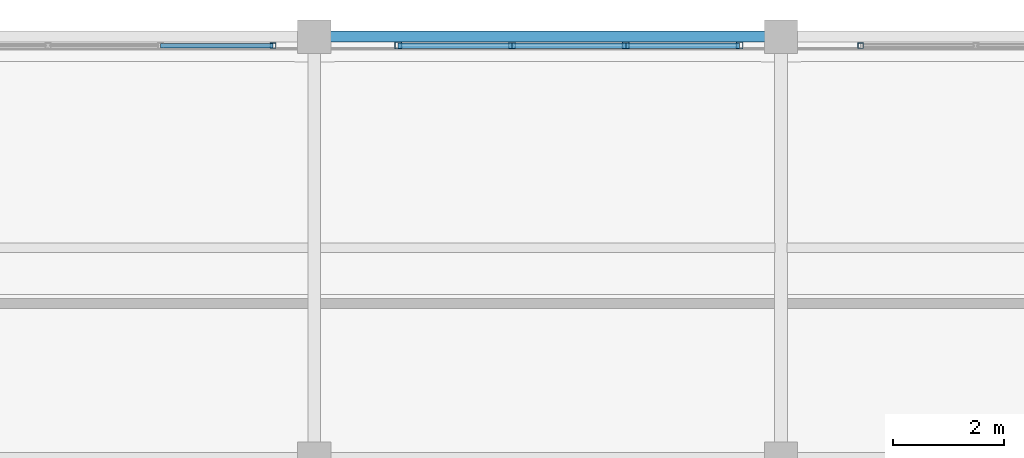
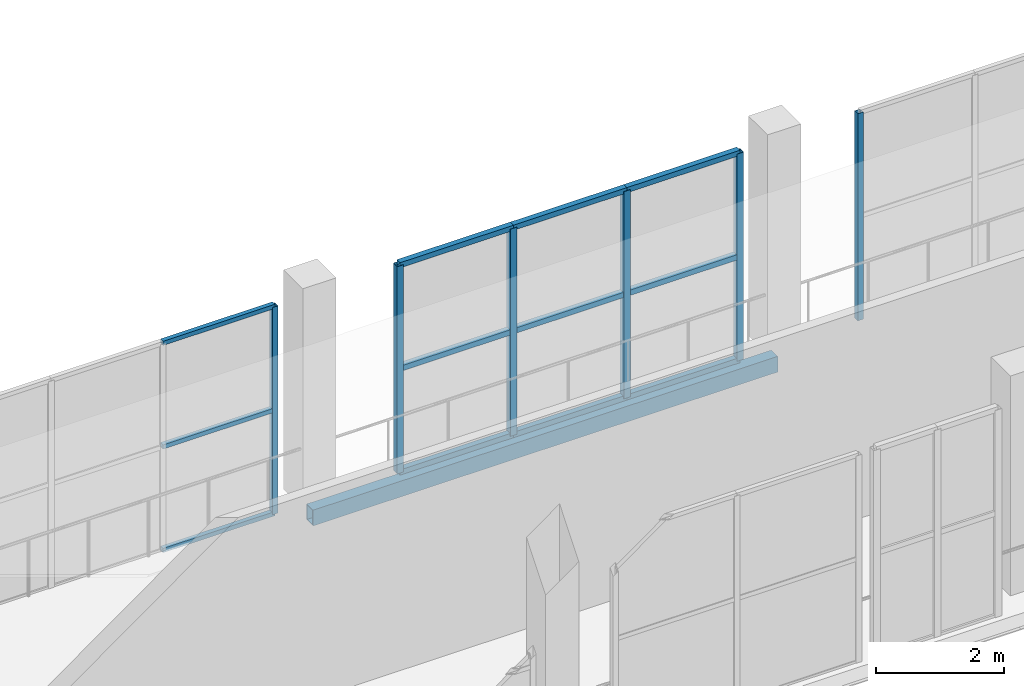
# One storey, part 73 of 151: 18 members, 1 beam, 3 elements without a shape of their own.
"""IFC4 building model written with IfcOpenShell, lengths in metres."""

from ifc_helpers import new_model, si_unit, direction, frame, origin, origin_2d, place, context, subcontext, project, spatial, hollow_rectangle, extrude, material, material_profile, profile_set, type_object, element, aggregate, save


model = new_model("IFC4")

# Units and contexts
model_context = context("Model", 3, precision=1e-05, world=origin(), true_north=direction((0.0, 1.0)))
body_context = subcontext(model_context, "Body", "Model", "MODEL_VIEW")
ifc_project = project(units=[si_unit("LENGTHUNIT", "METRE"), si_unit("AREAUNIT", "SQUARE_METRE"), si_unit("VOLUMEUNIT", "CUBIC_METRE"), si_unit("PLANEANGLEUNIT", "RADIAN"), si_unit("MASSUNIT", "GRAM", prefix="KILO")], contexts=[model_context])

# Site, building, storey
site_placement = place(None, origin())
site = spatial("IfcSite", under=ifc_project, at=site_placement, CompositionType="ELEMENT")
building_placement = place(site_placement, origin())
building = spatial("IfcBuilding", under=site, at=building_placement, Name="Zuvorla Pavilion Media Centre", CompositionType="ELEMENT")
storey_placement = place(building_placement, frame((0.0, 0.0, 13.800048828125)))
storey = spatial("IfcBuildingStorey", under=building, at=storey_placement, Name="L03", CompositionType="ELEMENT", Elevation=13.800048828125)

# Beam
ifc_material_1 = material(Name="Steel S355", Category="steel")
ifc_material_profile_1 = material_profile(ifc_material_1, hollow_rectangle(XDim=0.199951171875, YDim=0.300048828125, WallThickness=0.012451171875, at=origin_2d()), Name="RHS 300x200x12.5")
ifc_profile_set_1 = profile_set([ifc_material_profile_1], Name="Steel S355")
beam_type = type_object("IfcBeamType", Name="BM-SP-RHS300", PredefinedType="SPANDREL", material=ifc_profile_set_1)
beam_placement = place(storey_placement, frame((75.199951171875, 89.60009765625, -0.407958984375), z_axis=(1.0, 0.0, 0.0), x_axis=(0.0, 1.0, 0.0)))
element("IfcBeam", 1, at=beam_placement, inside=storey, type_object=beam_type, Name="L03 spandrel SP01 1138", PredefinedType="SPANDREL", context=body_context, shape_type="SweptSolid", body=[
    extrude(hollow_rectangle(XDim=0.199951171875, YDim=0.300048828125, WallThickness=0.012451171875, at=origin_2d()), origin(), (0.0, 0.0, 1.0), 8.400146484375),
])

# Curtain wall, member
ifc_material_2 = material(Name="Unitised anodised aluminium and solar glass curtain wall", Category="aluminium")
curtain_wall_type_1 = type_object("IfcCurtainWallType", Name="CW-SYS-20", PredefinedType="USERDEFINED", material=ifc_material_2)
curtain_wall_1_placement = place(storey_placement, origin())
curtain_wall_1 = element("IfcCurtainWall", 2, at=curtain_wall_1_placement, inside=storey, type_object=curtain_wall_type_1, Name="L03 curtain wall CW20 113", ObjectType="CURTAIN WALL", PredefinedType="USERDEFINED")
ifc_material_3 = material(Name="Anodised aluminium 6063-T6", Category="aluminium")
ifc_material_profile_2 = material_profile(ifc_material_3, hollow_rectangle(XDim=0.10009765625, YDim=0.10009765625, WallThickness=0.00439453125, at=origin_2d()), Name="ALU MULL 100x100")
ifc_profile_set_2 = profile_set([ifc_material_profile_2], Name="Anodised aluminium 6063-T6")
member_type_1 = type_object("IfcMemberType", Name="CW-MULL-100", PredefinedType="MULLION", material=ifc_profile_set_2)
member_1_placement = place(storey_placement, frame((85.034912109375, 89.43994140625, 0.0), z_axis=(0.0, 0.0, 1.0), x_axis=(1.0, 0.0, 0.0)))
member_1 = element("IfcMember", 3, at=member_1_placement, type_object=member_type_1, Name="CW20 mullion 4", PredefinedType="MULLION", context=body_context, shape_type="SweptSolid", body=[
    extrude(hollow_rectangle(XDim=0.10009765625, YDim=0.10009765625, WallThickness=0.00439453125, at=origin_2d()), origin(), (0.0, 0.0, 1.0), 3.9599609375),
])
aggregate(curtain_wall_1, [member_1])

curtain_wall_type_2 = type_object("IfcCurtainWallType", Name="CW-SYS-64", PredefinedType="USERDEFINED", material=ifc_material_2)
curtain_wall_2_placement = place(storey_placement, origin())
curtain_wall_2 = element("IfcCurtainWall", 4, at=curtain_wall_2_placement, inside=storey, type_object=curtain_wall_type_2, Name="L03 curtain wall CW64 115", ObjectType="CURTAIN WALL", PredefinedType="USERDEFINED")
member_2_placement = place(storey_placement, frame((74.455810546875, 89.43994140625, 0.0), z_axis=(0.0, 0.0, 1.0), x_axis=(1.0, 0.0, 0.0)))
member_2 = element("IfcMember", 5, at=member_2_placement, type_object=member_type_1, Name="CW64 mullion 1", PredefinedType="MULLION", context=body_context, shape_type="SweptSolid", body=[
    extrude(hollow_rectangle(XDim=0.10009765625, YDim=0.10009765625, WallThickness=0.00439453125, at=origin_2d()), origin(), (0.0, 0.0, 1.0), 3.9599609375),
])

# Curtain wall, members
curtain_wall_type_3 = type_object("IfcCurtainWallType", Name="CW-SYS-09", PredefinedType="USERDEFINED", material=ifc_material_2)
curtain_wall_3_placement = place(storey_placement, origin())
curtain_wall_3 = element("IfcCurtainWall", 6, at=curtain_wall_3_placement, inside=storey, type_object=curtain_wall_type_3, Name="L03 curtain wall CW09 114", ObjectType="CURTAIN WALL", PredefinedType="USERDEFINED")
ifc_material_profile_3 = material_profile(ifc_material_3, hollow_rectangle(XDim=0.1201171875, YDim=0.1201171875, WallThickness=0.0048828125, at=origin_2d()), Name="ALU MULL 120x120")
ifc_profile_set_3 = profile_set([ifc_material_profile_3], Name="Anodised aluminium 6063-T6")
member_type_2 = type_object("IfcMemberType", Name="CW-MULL-120", PredefinedType="MULLION", material=ifc_profile_set_3)
member_3_placement = place(storey_placement, frame((82.855712890625, 89.43994140625, 0.0), z_axis=(0.0, 0.0, 1.0), x_axis=(1.0, 0.0, 0.0)))
member_3 = element("IfcMember", 7, at=member_3_placement, type_object=member_type_2, Name="CW09 mullion 1", PredefinedType="MULLION", context=body_context, shape_type="SweptSolid", body=[
    extrude(hollow_rectangle(XDim=0.1201171875, YDim=0.1201171875, WallThickness=0.0048828125, at=origin_2d()), origin(), (0.0, 0.0, 1.0), 3.9599609375),
])
member_4_placement = place(storey_placement, frame((80.80712890625, 89.43994140625, 0.0), z_axis=(0.0, 0.0, 1.0), x_axis=(1.0, 0.0, 0.0)))
member_4 = element("IfcMember", 8, at=member_4_placement, type_object=member_type_2, Name="CW09 mullion 2", PredefinedType="MULLION", context=body_context, shape_type="SweptSolid", body=[
    extrude(hollow_rectangle(XDim=0.1201171875, YDim=0.1201171875, WallThickness=0.0048828125, at=origin_2d()), origin(), (0.0, 0.0, 1.0), 3.9599609375),
])
member_5_placement = place(storey_placement, frame((78.758544921875, 89.43994140625, 0.0), z_axis=(0.0, 0.0, 1.0), x_axis=(1.0, 0.0, 0.0)))
member_5 = element("IfcMember", 9, at=member_5_placement, type_object=member_type_2, Name="CW09 mullion 3", PredefinedType="MULLION", context=body_context, shape_type="SweptSolid", body=[
    extrude(hollow_rectangle(XDim=0.1201171875, YDim=0.1201171875, WallThickness=0.0048828125, at=origin_2d()), origin(), (0.0, 0.0, 1.0), 3.9599609375),
])
member_6_placement = place(storey_placement, frame((76.7099609375, 89.43994140625, 0.0), z_axis=(0.0, 0.0, 1.0), x_axis=(1.0, 0.0, 0.0)))
member_6 = element("IfcMember", 10, at=member_6_placement, type_object=member_type_2, Name="CW09 mullion 4", PredefinedType="MULLION", context=body_context, shape_type="SweptSolid", body=[
    extrude(hollow_rectangle(XDim=0.1201171875, YDim=0.1201171875, WallThickness=0.0048828125, at=origin_2d()), origin(), (0.0, 0.0, 1.0), 3.9599609375),
])
ifc_material_profile_4 = material_profile(ifc_material_3, hollow_rectangle(XDim=0.10009765625, YDim=0.10009765625, WallThickness=0.00439453125, at=origin_2d()), Name="ALU TRAN 100x100")
ifc_profile_set_4 = profile_set([ifc_material_profile_4], Name="Anodised aluminium 6063-T6")
member_type_3 = type_object("IfcMemberType", Name="CW-TRAN-100", PredefinedType="USERDEFINED", material=ifc_profile_set_4)
member_7_placement = place(storey_placement, frame((82.855712890625, 89.43994140625, 0.0), z_axis=(-1.0, 0.0, 0.0), x_axis=(0.0, -1.0, 0.0)))
member_7 = element("IfcMember", 11, at=member_7_placement, type_object=member_type_3, Name="CW09 transom 1.1", ObjectType="TRANSOM", PredefinedType="USERDEFINED", context=body_context, shape_type="SweptSolid", body=[
    extrude(hollow_rectangle(XDim=0.10009765625, YDim=0.10009765625, WallThickness=0.00439453125, at=origin_2d()), origin(), (0.0, 0.0, 1.0), 2.048583984375),
])
member_8_placement = place(storey_placement, frame((82.855712890625, 89.43994140625, 1.97998046875), z_axis=(-1.0, 0.0, 0.0), x_axis=(0.0, -1.0, 0.0)))
member_8 = element("IfcMember", 12, at=member_8_placement, type_object=member_type_3, Name="CW09 transom 1.2", ObjectType="TRANSOM", PredefinedType="USERDEFINED", context=body_context, shape_type="SweptSolid", body=[
    extrude(hollow_rectangle(XDim=0.10009765625, YDim=0.10009765625, WallThickness=0.00439453125, at=origin_2d()), origin(), (0.0, 0.0, 1.0), 2.048583984375),
])
member_9_placement = place(storey_placement, frame((82.855712890625, 89.43994140625, 3.9599609375), z_axis=(-1.0, 0.0, 0.0), x_axis=(0.0, -1.0, 0.0)))
member_9 = element("IfcMember", 13, at=member_9_placement, type_object=member_type_3, Name="CW09 transom 1.3", ObjectType="TRANSOM", PredefinedType="USERDEFINED", context=body_context, shape_type="SweptSolid", body=[
    extrude(hollow_rectangle(XDim=0.10009765625, YDim=0.10009765625, WallThickness=0.00439453125, at=origin_2d()), origin(), (0.0, 0.0, 1.0), 2.048583984375),
])
member_10_placement = place(storey_placement, frame((80.80712890625, 89.43994140625, 0.0), z_axis=(-1.0, 0.0, 0.0), x_axis=(0.0, -1.0, 0.0)))
member_10 = element("IfcMember", 14, at=member_10_placement, type_object=member_type_3, Name="CW09 transom 2.1", ObjectType="TRANSOM", PredefinedType="USERDEFINED", context=body_context, shape_type="SweptSolid", body=[
    extrude(hollow_rectangle(XDim=0.10009765625, YDim=0.10009765625, WallThickness=0.00439453125, at=origin_2d()), origin(), (0.0, 0.0, 1.0), 2.048583984375),
])
member_11_placement = place(storey_placement, frame((80.80712890625, 89.43994140625, 1.97998046875), z_axis=(-1.0, 0.0, 0.0), x_axis=(0.0, -1.0, 0.0)))
member_11 = element("IfcMember", 15, at=member_11_placement, type_object=member_type_3, Name="CW09 transom 2.2", ObjectType="TRANSOM", PredefinedType="USERDEFINED", context=body_context, shape_type="SweptSolid", body=[
    extrude(hollow_rectangle(XDim=0.10009765625, YDim=0.10009765625, WallThickness=0.00439453125, at=origin_2d()), origin(), (0.0, 0.0, 1.0), 2.048583984375),
])
member_12_placement = place(storey_placement, frame((80.80712890625, 89.43994140625, 3.9599609375), z_axis=(-1.0, 0.0, 0.0), x_axis=(0.0, -1.0, 0.0)))
member_12 = element("IfcMember", 16, at=member_12_placement, type_object=member_type_3, Name="CW09 transom 2.3", ObjectType="TRANSOM", PredefinedType="USERDEFINED", context=body_context, shape_type="SweptSolid", body=[
    extrude(hollow_rectangle(XDim=0.10009765625, YDim=0.10009765625, WallThickness=0.00439453125, at=origin_2d()), origin(), (0.0, 0.0, 1.0), 2.048583984375),
])
member_13_placement = place(storey_placement, frame((78.758544921875, 89.43994140625, 0.0), z_axis=(-1.0, 0.0, 0.0), x_axis=(0.0, -1.0, 0.0)))
member_13 = element("IfcMember", 17, at=member_13_placement, type_object=member_type_3, Name="CW09 transom 3.1", ObjectType="TRANSOM", PredefinedType="USERDEFINED", context=body_context, shape_type="SweptSolid", body=[
    extrude(hollow_rectangle(XDim=0.10009765625, YDim=0.10009765625, WallThickness=0.00439453125, at=origin_2d()), origin(), (0.0, 0.0, 1.0), 2.048583984375),
])
member_14_placement = place(storey_placement, frame((78.758544921875, 89.43994140625, 1.97998046875), z_axis=(-1.0, 0.0, 0.0), x_axis=(0.0, -1.0, 0.0)))
member_14 = element("IfcMember", 18, at=member_14_placement, type_object=member_type_3, Name="CW09 transom 3.2", ObjectType="TRANSOM", PredefinedType="USERDEFINED", context=body_context, shape_type="SweptSolid", body=[
    extrude(hollow_rectangle(XDim=0.10009765625, YDim=0.10009765625, WallThickness=0.00439453125, at=origin_2d()), origin(), (0.0, 0.0, 1.0), 2.048583984375),
])
member_15_placement = place(storey_placement, frame((78.758544921875, 89.43994140625, 3.9599609375), z_axis=(-1.0, 0.0, 0.0), x_axis=(0.0, -1.0, 0.0)))
member_15 = element("IfcMember", 19, at=member_15_placement, type_object=member_type_3, Name="CW09 transom 3.3", ObjectType="TRANSOM", PredefinedType="USERDEFINED", context=body_context, shape_type="SweptSolid", body=[
    extrude(hollow_rectangle(XDim=0.10009765625, YDim=0.10009765625, WallThickness=0.00439453125, at=origin_2d()), origin(), (0.0, 0.0, 1.0), 2.048583984375),
])
aggregate(curtain_wall_3, [member_3, member_4, member_5, member_6, member_7, member_8, member_9, member_10, member_11, member_12, member_13, member_14, member_15])

# Member
ifc_material_profile_5 = material_profile(ifc_material_3, hollow_rectangle(XDim=0.080078125, YDim=0.080078125, WallThickness=0.00390625, at=origin_2d()), Name="ALU TRAN 80x80")
ifc_profile_set_5 = profile_set([ifc_material_profile_5], Name="Anodised aluminium 6063-T6")
member_type_4 = type_object("IfcMemberType", Name="CW-TRAN-80", PredefinedType="USERDEFINED", material=ifc_profile_set_5)
member_16_placement = place(storey_placement, frame((74.455810546875, 89.43994140625, 0.0), z_axis=(-1.0, 0.0, 0.0), x_axis=(0.0, -1.0, 0.0)))
member_16 = element("IfcMember", 20, at=member_16_placement, type_object=member_type_4, Name="CW64 transom 1.1", ObjectType="TRANSOM", PredefinedType="USERDEFINED", context=body_context, shape_type="SweptSolid", body=[
    extrude(hollow_rectangle(XDim=0.080078125, YDim=0.080078125, WallThickness=0.00390625, at=origin_2d()), origin(), (0.0, 0.0, 1.0), 2.023681640625),
])

member_17_placement = place(storey_placement, frame((74.455810546875, 89.43994140625, 1.97998046875), z_axis=(-1.0, 0.0, 0.0), x_axis=(0.0, -1.0, 0.0)))
member_17 = element("IfcMember", 21, at=member_17_placement, type_object=member_type_4, Name="CW64 transom 1.2", ObjectType="TRANSOM", PredefinedType="USERDEFINED", context=body_context, shape_type="SweptSolid", body=[
    extrude(hollow_rectangle(XDim=0.080078125, YDim=0.080078125, WallThickness=0.00390625, at=origin_2d()), origin(), (0.0, 0.0, 1.0), 2.023681640625),
])

member_18_placement = place(storey_placement, frame((74.455810546875, 89.43994140625, 3.9599609375), z_axis=(-1.0, 0.0, 0.0), x_axis=(0.0, -1.0, 0.0)))
member_18 = element("IfcMember", 22, at=member_18_placement, type_object=member_type_4, Name="CW64 transom 1.3", ObjectType="TRANSOM", PredefinedType="USERDEFINED", context=body_context, shape_type="SweptSolid", body=[
    extrude(hollow_rectangle(XDim=0.080078125, YDim=0.080078125, WallThickness=0.00390625, at=origin_2d()), origin(), (0.0, 0.0, 1.0), 2.023681640625),
])

aggregate(curtain_wall_2, [member_2, member_16, member_17, member_18])

save(model, "model.ifc")
